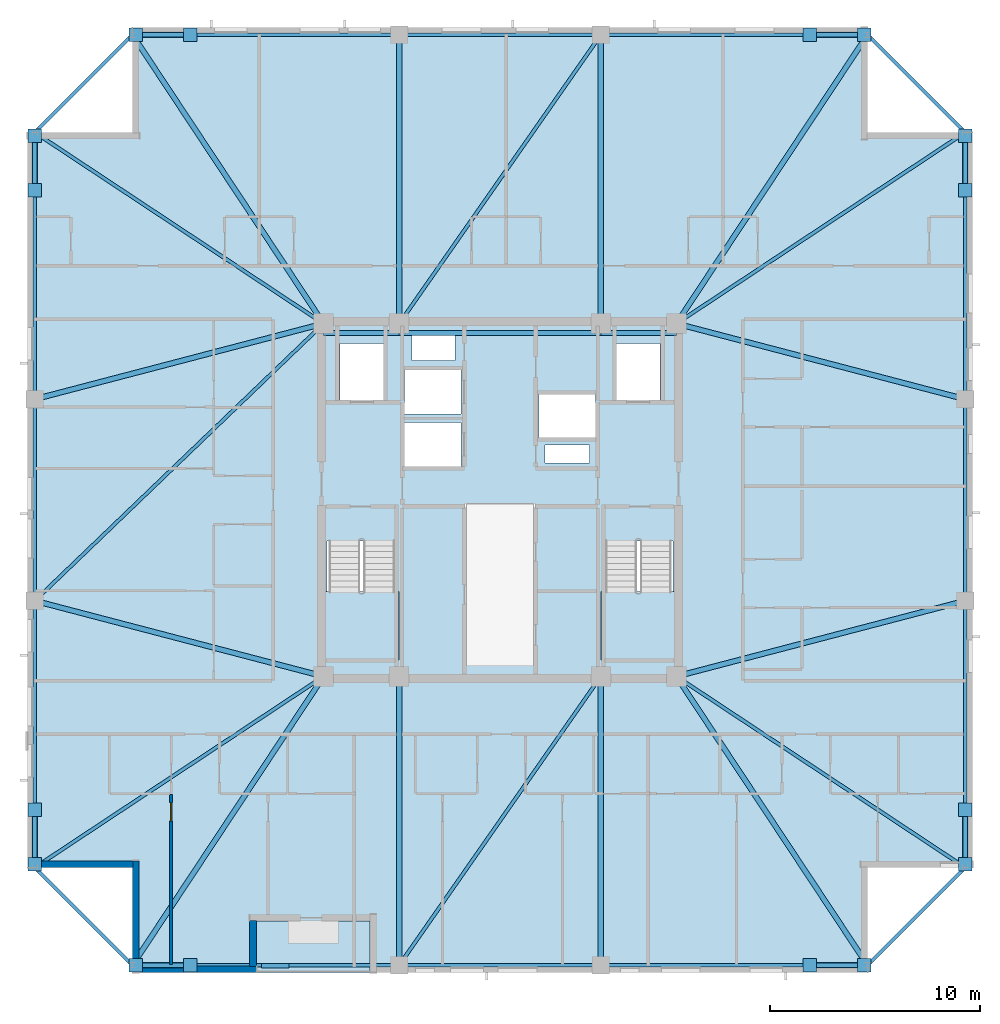
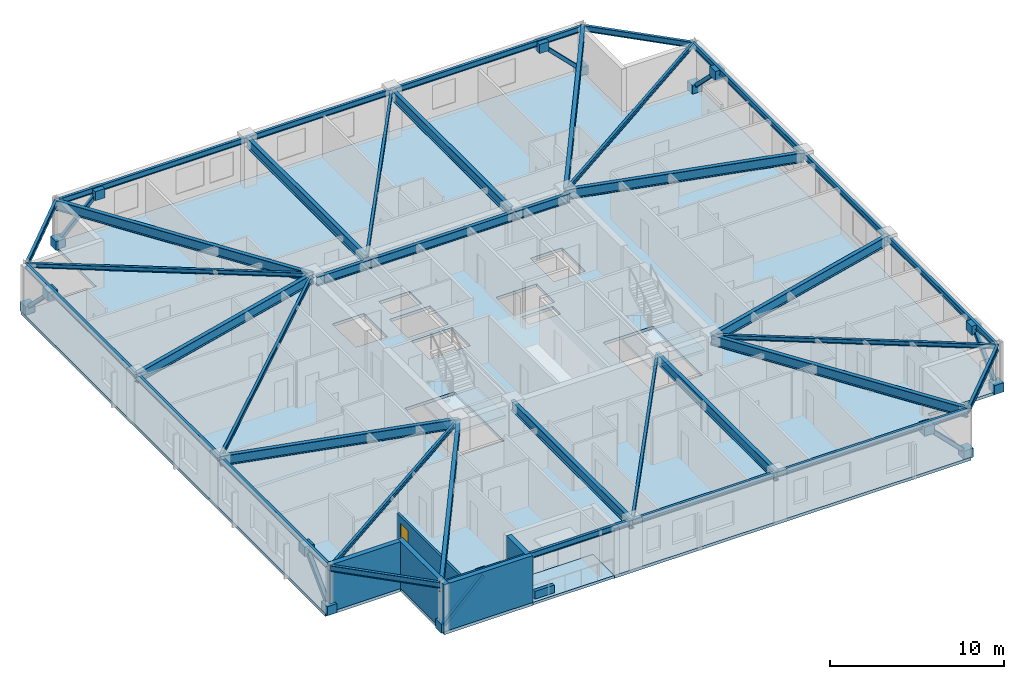
# One storey, part 6 of 17: 38 beams, 16 plates, 8 members, 6 walls, 4 slabs, 1 door, 1 opening, 2 elements without a shape of their own.
"""IFC4 building model written with IfcOpenShell, lengths in metres."""

from ifc_helpers import new_model, si_unit, direction, frame, frame_2d, origin, origin_2d, place, context, subcontext, project, spatial, polyline, rectangle, hollow_rectangle, i_section, outline, extrude, material, layer, layer_set, material_profile, profile_set, type_object, element, fill, aggregate, save


model = new_model("IFC4")

# Units and contexts
model_context = context("Model", 3, precision=1e-05, world=origin(), true_north=direction((0.0, 1.0)))
body_context = subcontext(model_context, "Body", "Model", "MODEL_VIEW")
ifc_project = project(units=[si_unit("LENGTHUNIT", "METRE"), si_unit("AREAUNIT", "SQUARE_METRE"), si_unit("VOLUMEUNIT", "CUBIC_METRE"), si_unit("PLANEANGLEUNIT", "RADIAN"), si_unit("MASSUNIT", "GRAM", prefix="KILO")], contexts=[model_context])

# Site, building, storey
site_placement = place(None, origin())
site = spatial("IfcSite", under=ifc_project, at=site_placement, CompositionType="ELEMENT")
building_placement = place(site_placement, origin())
building = spatial("IfcBuilding", under=site, at=building_placement, Name="Cairnveth Concourse Tower", CompositionType="ELEMENT")
storey_placement = place(building_placement, frame((0.0, 0.0, 262.0)))
storey = spatial("IfcBuildingStorey", under=building, at=storey_placement, Name="L72", CompositionType="ELEMENT", Elevation=262.0)

# Beams
ifc_material_1 = material(Name="Steel Grade 350", Category="steel")
ifc_material_profile_1 = material_profile(ifc_material_1, i_section(OverallWidth=0.22802734375, OverallDepth=0.60693359375, WebThickness=0.01123046875, FlangeThickness=0.017333984375, FilletRadius=0.013916015625, at=origin_2d()), Name="610UB113")
ifc_profile_set_1 = profile_set([ifc_material_profile_1], Name="Steel Grade 350")
beam_type_1 = type_object("IfcBeamType", Name="CORE TIE BEAM 610UB113", PredefinedType="T_BEAM", material=ifc_profile_set_1)
for number, where, z_axis, x_axis, name in (
    (1, (43.60009765625, 46.949951171875, 2.986572265625), (1.0, 0.0, 0.0), (0.0, 1.0, 0.0), "Beam CT-N1 L72"),
    (2, (56.800048828125, 46.949951171875, 2.986572265625), (1.0, 0.0, 0.0), (0.0, 1.0, 0.0), "Beam CT-N3 L72"),
):
    element("IfcBeam", number, at=place(storey_placement, frame(where, z_axis=z_axis, x_axis=x_axis)), inside=storey, type_object=beam_type_1, Name=name, PredefinedType="T_BEAM", context=body_context, shape_type="SweptSolid", body=[
        extrude(i_section(OverallWidth=0.22802734375, OverallDepth=0.60693359375, WebThickness=0.01123046875, FlangeThickness=0.017333984375, FilletRadius=0.013916015625, at=origin_2d()), origin(), (0.0, 0.0, 1.0), 3.599853515625),
    ])
beam_1_placement = place(storey_placement, frame((47.199951171875, 46.949951171875, 2.986572265625), z_axis=(1.0, 0.0, 0.0), x_axis=(0.0, 1.0, 0.0)))
element("IfcBeam", 3, at=beam_1_placement, inside=storey, type_object=beam_type_1, Name="Beam CT-N2 L72", PredefinedType="T_BEAM", context=body_context, shape_type="SweptSolid", body=[
    extrude(i_section(OverallWidth=0.22802734375, OverallDepth=0.60693359375, WebThickness=0.01123046875, FlangeThickness=0.017333984375, FilletRadius=0.013916015625, at=origin_2d()), origin(), (0.0, 0.0, 1.0), 9.60009765625),
])
ifc_material_profile_2 = material_profile(ifc_material_1, i_section(OverallWidth=0.166015625, OverallDepth=0.306884765625, WebThickness=0.006591796875, FlangeThickness=0.01171875, FilletRadius=0.010986328125, at=origin_2d()), Name="310UB46.2")
ifc_profile_set_2 = profile_set([ifc_material_profile_2], Name="Steel Grade 350")
beam_type_2 = type_object("IfcBeamType", Name="ZONE 3 FLOOR JOIST 310UB46.2", PredefinedType="JOIST", material=ifc_profile_set_2)
for number, where, z_axis, x_axis, name in (
    (4, (29.85009765625, 21.5, 3.136474609375), (0.833908956207, 0.551902031848, 0.0), (-0.551902031848, 0.833908956207, 0.0), "Beam FJ-CSW2 L72"),
    (5, (74.14990234375, 21.5, 3.136474609375), (-0.833908956207, 0.551902031848, 0.0), (-0.551902031848, -0.833908956207, 0.0), "Beam FJ-CSE2 L72"),
    (6, (74.14990234375, 56.5, 3.136474609375), (-0.833908956207, -0.551902031848, 0.0), (0.551902031848, -0.833908956207, 0.0), "Beam FJ-CNE2 L72"),
    (7, (29.85009765625, 56.5, 3.136474609375), (0.833908956207, -0.551902031848, 0.0), (0.551902031848, 0.833908956207, 0.0), "Beam FJ-CNW2 L72"),
):
    element("IfcBeam", number, at=place(storey_placement, frame(where, z_axis=z_axis, x_axis=x_axis)), inside=storey, type_object=beam_type_2, Name=name, PredefinedType="JOIST", context=body_context, shape_type="SweptSolid", body=[
        extrude(i_section(OverallWidth=0.166015625, OverallDepth=0.306884765625, WebThickness=0.006591796875, FlangeThickness=0.01171875, FilletRadius=0.010986328125, at=origin_2d()), origin(), (0.0, 0.0, 1.0), 16.488525390625),
    ])
for number, where, z_axis, x_axis, name in (
    (8, (47.199951171875, 16.85009765625, 3.136474609375), (0.572465304893, 0.819928944905, 0.0), (-0.819928944905, 0.572465304893, 0.0), "Beam FJ-S-M1 L72"),
    (9, (47.199951171875, 47.39990234375, 3.136474609375), (0.572465304893, 0.819928944905, 0.0), (-0.819928944905, 0.572465304893, 0.0), "Beam FJ-N-M1 L72"),
):
    element("IfcBeam", number, at=place(storey_placement, frame(where, z_axis=z_axis, x_axis=x_axis)), inside=storey, type_object=beam_type_2, Name=name, PredefinedType="JOIST", context=body_context, shape_type="SweptSolid", body=[
        extrude(i_section(OverallWidth=0.166015625, OverallDepth=0.306884765625, WebThickness=0.006591796875, FlangeThickness=0.01171875, FilletRadius=0.010986328125, at=origin_2d()), origin(), (0.0, 0.0, 1.0), 16.769775390625),
    ])
beam_2_placement = place(storey_placement, frame((29.85009765625, 34.199951171875, 3.136474609375), z_axis=(0.721388600838, 0.692530495055, 0.0), x_axis=(-0.692530495055, 0.721388600838, 0.0)))
element("IfcBeam", 10, at=beam_2_placement, inside=storey, type_object=beam_type_2, Name="Beam FJ-W-M1 L72", PredefinedType="JOIST", context=body_context, shape_type="SweptSolid", body=[
    extrude(i_section(OverallWidth=0.166015625, OverallDepth=0.306884765625, WebThickness=0.006591796875, FlangeThickness=0.01171875, FilletRadius=0.010986328125, at=origin_2d()), origin(), (0.0, 0.0, 1.0), 19.060546875),
])

# Members
ifc_material_2 = material(Name="Steel C350L0 (350 MPa)", Category="steel")
ifc_material_profile_3 = material_profile(ifc_material_2, hollow_rectangle(XDim=0.25, YDim=0.25, WallThickness=0.012451171875, InnerFilletRadius=0.012939453125, OuterFilletRadius=0.02490234375, at=origin_2d()), Name="250x250x12.5SHS")
ifc_profile_set_3 = profile_set([ifc_material_profile_3], Name="Steel C350L0 (350 MPa)")
member_type = type_object("IfcMemberType", Name="ZONE 3 PIER BRACE 250X250X12.5SHS", PredefinedType="BRACE", material=ifc_profile_set_3)
for number, where, z_axis, x_axis, name in (
    (11, (34.64990234375, 16.85009765625, 0.25), (0.708469186186, 0.0, 0.705741746126), (0.0, 1.0, 0.0), "Structural Brace PB-S1 L72"),
    (12, (69.35009765625, 16.85009765625, 0.25), (-0.708469186186, 0.0, 0.705741746126), (0.0, -1.0, 0.0), "Structural Brace PB-S2 L72"),
    (13, (34.64990234375, 61.14990234375, 0.25), (0.708469186186, 0.0, 0.705741746126), (0.0, 1.0, 0.0), "Structural Brace PB-N1 L72"),
    (14, (69.35009765625, 61.14990234375, 0.25), (-0.708469186186, 0.0, 0.705741746126), (0.0, -1.0, 0.0), "Structural Brace PB-N2 L72"),
    (15, (29.85009765625, 21.64990234375, 0.25), (0.0, 0.708469186186, 0.705741746126), (-1.0, 0.0, 0.0), "Structural Brace PB-W1 L72"),
    (16, (29.85009765625, 56.35009765625, 0.25), (0.0, -0.708469186186, 0.705741746126), (1.0, 0.0, 0.0), "Structural Brace PB-W2 L72"),
    (17, (74.14990234375, 21.64990234375, 0.25), (0.0, 0.708469186186, 0.705741746126), (-1.0, 0.0, 0.0), "Structural Brace PB-E1 L72"),
    (18, (74.14990234375, 56.35009765625, 0.25), (0.0, -0.708469186186, 0.705741746126), (1.0, 0.0, 0.0), "Structural Brace PB-E2 L72"),
):
    element("IfcMember", number, at=place(storey_placement, frame(where, z_axis=z_axis, x_axis=x_axis)), inside=storey, type_object=member_type, Name=name, PredefinedType="BRACE", context=body_context, shape_type="SweptSolid", body=[
        extrude(hollow_rectangle(XDim=0.25, YDim=0.25, WallThickness=0.012451171875, InnerFilletRadius=0.012939453125, OuterFilletRadius=0.02490234375, at=origin_2d()), origin(), (0.0, 0.0, 1.0), 3.669921875),
    ])

# Beams
ifc_material_profile_4 = material_profile(ifc_material_1, i_section(OverallWidth=0.25, OverallDepth=0.69189453125, WebThickness=0.010009765625, FlangeThickness=0.02490234375, at=origin_2d()), Name="700WB150")
ifc_profile_set_4 = profile_set([ifc_material_profile_4], Name="Steel Grade 350")
beam_type_3 = type_object("IfcBeamType", Name="ZONE 3 RADIAL GIRDER 700WB150", PredefinedType="BEAM", material=ifc_profile_set_4)
for number, where, z_axis, x_axis, name in (
    (19, (47.199951171875, 16.85009765625, 2.944091796875), (0.0, 1.0, 0.0), (-1.0, 0.0, 0.0), "Beam RG-S1 L72"),
    (20, (56.800048828125, 16.85009765625, 2.944091796875), (0.0, 1.0, 0.0), (-1.0, 0.0, 0.0), "Beam RG-S2 L72"),
    (21, (47.199951171875, 47.39990234375, 2.944091796875), (0.0, 1.0, 0.0), (-1.0, 0.0, 0.0), "Beam RG-N1 L72"),
    (22, (56.800048828125, 47.39990234375, 2.944091796875), (0.0, 1.0, 0.0), (-1.0, 0.0, 0.0), "Beam RG-N2 L72"),
):
    element("IfcBeam", number, at=place(storey_placement, frame(where, z_axis=z_axis, x_axis=x_axis)), inside=storey, type_object=beam_type_3, Name=name, PredefinedType="BEAM", context=body_context, shape_type="SweptSolid", body=[
        extrude(i_section(OverallWidth=0.25, OverallDepth=0.69189453125, WebThickness=0.010009765625, FlangeThickness=0.02490234375, at=origin_2d()), origin(), (0.0, 0.0, 1.0), 13.75),
    ])
for number, where, z_axis, x_axis, name in (
    (23, (29.85009765625, 34.199951171875, 2.944091796875), (0.967395273598, -0.253271365575, 0.0), (0.253271365575, 0.967395273598, 0.0), "Beam RG-W1 L72"),
    (24, (29.85009765625, 43.800048828125, 2.944091796875), (0.967395273598, 0.253271365575, 0.0), (-0.253271365575, 0.967395273598, 0.0), "Beam RG-W2 L72"),
    (25, (60.39990234375, 30.60009765625, 2.944091796875), (0.967395273598, 0.253271365575, 0.0), (-0.253271365575, 0.967395273598, 0.0), "Beam RG-E1 L72"),
    (26, (60.39990234375, 47.39990234375, 2.944091796875), (0.967395273598, -0.253271365575, 0.0), (0.253271365575, 0.967395273598, 0.0), "Beam RG-E2 L72"),
):
    element("IfcBeam", number, at=place(storey_placement, frame(where, z_axis=z_axis, x_axis=x_axis)), inside=storey, type_object=beam_type_3, Name=name, PredefinedType="BEAM", context=body_context, shape_type="SweptSolid", body=[
        extrude(i_section(OverallWidth=0.25, OverallDepth=0.69189453125, WebThickness=0.010009765625, FlangeThickness=0.02490234375, at=origin_2d()), origin(), (0.0, 0.0, 1.0), 14.21337890625),
    ])
for number, where, z_axis, x_axis, name in (
    (27, (34.5, 16.85009765625, 2.944091796875), (0.551902031848, 0.833908956207, 0.0), (-0.833908956207, 0.551902031848, 0.0), "Beam RG-CSW L72"),
    (28, (69.5, 16.85009765625, 2.944091796875), (-0.551902031848, 0.833908956207, 0.0), (-0.833908956207, -0.551902031848, 0.0), "Beam RG-CSE L72"),
    (29, (69.5, 61.14990234375, 2.944091796875), (-0.551902031848, -0.833908956207, 0.0), (0.833908956207, -0.551902031848, 0.0), "Beam RG-CNE L72"),
    (30, (34.5, 61.14990234375, 2.944091796875), (0.551902031848, -0.833908956207, 0.0), (0.833908956207, 0.551902031848, 0.0), "Beam RG-CNW L72"),
):
    element("IfcBeam", number, at=place(storey_placement, frame(where, z_axis=z_axis, x_axis=x_axis)), inside=storey, type_object=beam_type_3, Name=name, PredefinedType="BEAM", context=body_context, shape_type="SweptSolid", body=[
        extrude(i_section(OverallWidth=0.25, OverallDepth=0.69189453125, WebThickness=0.010009765625, FlangeThickness=0.02490234375, at=origin_2d()), origin(), (0.0, 0.0, 1.0), 16.488525390625),
    ])
ifc_material_profile_5 = material_profile(ifc_material_1, i_section(OverallWidth=0.177978515625, OverallDepth=0.406005859375, WebThickness=0.0078125, FlangeThickness=0.0126953125, FilletRadius=0.010986328125, at=origin_2d()), Name="410UB59.7")
ifc_profile_set_5 = profile_set([ifc_material_profile_5], Name="Steel Grade 350")
beam_type_4 = type_object("IfcBeamType", Name="ZONE 3 SPANDREL BEAM 410UB59.7", PredefinedType="SPANDREL", material=ifc_profile_set_5)
beam_3_placement = place(storey_placement, frame((34.5, 16.85009765625, 3.0869140625), z_axis=(1.0, 0.0, 0.0), x_axis=(0.0, 1.0, 0.0)))
element("IfcBeam", 31, at=beam_3_placement, inside=storey, type_object=beam_type_4, Name="Beam SP-S1 L72", PredefinedType="SPANDREL", context=body_context, shape_type="SweptSolid", body=[
    extrude(i_section(OverallWidth=0.177978515625, OverallDepth=0.406005859375, WebThickness=0.0078125, FlangeThickness=0.0126953125, FilletRadius=0.010986328125, at=origin_2d()), origin(), (0.0, 0.0, 1.0), 12.699951171875),
])
beam_4_placement = place(storey_placement, frame((47.199951171875, 16.85009765625, 3.0869140625), z_axis=(1.0, 0.0, 0.0), x_axis=(0.0, 1.0, 0.0)))
element("IfcBeam", 32, at=beam_4_placement, inside=storey, type_object=beam_type_4, Name="Beam SP-S2 L72", PredefinedType="SPANDREL", context=body_context, shape_type="SweptSolid", body=[
    extrude(i_section(OverallWidth=0.177978515625, OverallDepth=0.406005859375, WebThickness=0.0078125, FlangeThickness=0.0126953125, FilletRadius=0.010986328125, at=origin_2d()), origin(), (0.0, 0.0, 1.0), 9.60009765625),
])
for number, where, z_axis, x_axis, name in (
    (33, (56.800048828125, 16.85009765625, 3.0869140625), (1.0, 0.0, 0.0), (0.0, 1.0, 0.0), "Beam SP-S3 L72"),
    (34, (34.5, 61.14990234375, 3.0869140625), (1.0, 0.0, 0.0), (0.0, 1.0, 0.0), "Beam SP-N1 L72"),
):
    element("IfcBeam", number, at=place(storey_placement, frame(where, z_axis=z_axis, x_axis=x_axis)), inside=storey, type_object=beam_type_4, Name=name, PredefinedType="SPANDREL", context=body_context, shape_type="SweptSolid", body=[
        extrude(i_section(OverallWidth=0.177978515625, OverallDepth=0.406005859375, WebThickness=0.0078125, FlangeThickness=0.0126953125, FilletRadius=0.010986328125, at=origin_2d()), origin(), (0.0, 0.0, 1.0), 12.699951171875),
    ])
beam_5_placement = place(storey_placement, frame((47.199951171875, 61.14990234375, 3.0869140625), z_axis=(1.0, 0.0, 0.0), x_axis=(0.0, 1.0, 0.0)))
element("IfcBeam", 35, at=beam_5_placement, inside=storey, type_object=beam_type_4, Name="Beam SP-N2 L72", PredefinedType="SPANDREL", context=body_context, shape_type="SweptSolid", body=[
    extrude(i_section(OverallWidth=0.177978515625, OverallDepth=0.406005859375, WebThickness=0.0078125, FlangeThickness=0.0126953125, FilletRadius=0.010986328125, at=origin_2d()), origin(), (0.0, 0.0, 1.0), 9.60009765625),
])
for number, where, z_axis, x_axis, name in (
    (36, (56.800048828125, 61.14990234375, 3.0869140625), (1.0, 0.0, 0.0), (0.0, 1.0, 0.0), "Beam SP-N3 L72"),
    (37, (29.85009765625, 21.5, 3.0869140625), (0.0, 1.0, 0.0), (-1.0, 0.0, 0.0), "Beam SP-W1 L72"),
):
    element("IfcBeam", number, at=place(storey_placement, frame(where, z_axis=z_axis, x_axis=x_axis)), inside=storey, type_object=beam_type_4, Name=name, PredefinedType="SPANDREL", context=body_context, shape_type="SweptSolid", body=[
        extrude(i_section(OverallWidth=0.177978515625, OverallDepth=0.406005859375, WebThickness=0.0078125, FlangeThickness=0.0126953125, FilletRadius=0.010986328125, at=origin_2d()), origin(), (0.0, 0.0, 1.0), 12.699951171875),
    ])
beam_6_placement = place(storey_placement, frame((29.85009765625, 34.199951171875, 3.0869140625), z_axis=(0.0, 1.0, 0.0), x_axis=(-1.0, 0.0, 0.0)))
element("IfcBeam", 38, at=beam_6_placement, inside=storey, type_object=beam_type_4, Name="Beam SP-W2 L72", PredefinedType="SPANDREL", context=body_context, shape_type="SweptSolid", body=[
    extrude(i_section(OverallWidth=0.177978515625, OverallDepth=0.406005859375, WebThickness=0.0078125, FlangeThickness=0.0126953125, FilletRadius=0.010986328125, at=origin_2d()), origin(), (0.0, 0.0, 1.0), 9.60009765625),
])
for number, where, z_axis, x_axis, name in (
    (39, (29.85009765625, 43.800048828125, 3.0869140625), (0.0, 1.0, 0.0), (-1.0, 0.0, 0.0), "Beam SP-W3 L72"),
    (40, (74.14990234375, 21.5, 3.0869140625), (0.0, 1.0, 0.0), (-1.0, 0.0, 0.0), "Beam SP-E1 L72"),
):
    element("IfcBeam", number, at=place(storey_placement, frame(where, z_axis=z_axis, x_axis=x_axis)), inside=storey, type_object=beam_type_4, Name=name, PredefinedType="SPANDREL", context=body_context, shape_type="SweptSolid", body=[
        extrude(i_section(OverallWidth=0.177978515625, OverallDepth=0.406005859375, WebThickness=0.0078125, FlangeThickness=0.0126953125, FilletRadius=0.010986328125, at=origin_2d()), origin(), (0.0, 0.0, 1.0), 12.699951171875),
    ])
beam_7_placement = place(storey_placement, frame((74.14990234375, 34.199951171875, 3.0869140625), z_axis=(0.0, 1.0, 0.0), x_axis=(-1.0, 0.0, 0.0)))
element("IfcBeam", 41, at=beam_7_placement, inside=storey, type_object=beam_type_4, Name="Beam SP-E2 L72", PredefinedType="SPANDREL", context=body_context, shape_type="SweptSolid", body=[
    extrude(i_section(OverallWidth=0.177978515625, OverallDepth=0.406005859375, WebThickness=0.0078125, FlangeThickness=0.0126953125, FilletRadius=0.010986328125, at=origin_2d()), origin(), (0.0, 0.0, 1.0), 9.60009765625),
])
beam_8_placement = place(storey_placement, frame((74.14990234375, 43.800048828125, 3.0869140625), z_axis=(0.0, 1.0, 0.0), x_axis=(-1.0, 0.0, 0.0)))
element("IfcBeam", 42, at=beam_8_placement, inside=storey, type_object=beam_type_4, Name="Beam SP-E3 L72", PredefinedType="SPANDREL", context=body_context, shape_type="SweptSolid", body=[
    extrude(i_section(OverallWidth=0.177978515625, OverallDepth=0.406005859375, WebThickness=0.0078125, FlangeThickness=0.0126953125, FilletRadius=0.010986328125, at=origin_2d()), origin(), (0.0, 0.0, 1.0), 12.699951171875),
])
for number, where, z_axis, x_axis, name in (
    (43, (29.85009765625, 21.5, 3.0869140625), (0.707106781187, -0.707106781187, 0.0), (0.707106781187, 0.707106781187, 0.0), "Beam SP-SW L72"),
    (44, (69.5, 16.85009765625, 3.0869140625), (0.707106781187, 0.707106781187, 0.0), (-0.707106781187, 0.707106781187, 0.0), "Beam SP-SE L72"),
    (45, (69.5, 61.14990234375, 3.0869140625), (0.707106781187, -0.707106781187, 0.0), (0.707106781187, 0.707106781187, 0.0), "Beam SP-NE L72"),
    (46, (29.85009765625, 56.5, 3.0869140625), (0.707106781187, 0.707106781187, 0.0), (-0.707106781187, 0.707106781187, 0.0), "Beam SP-NW L72"),
):
    element("IfcBeam", number, at=place(storey_placement, frame(where, z_axis=z_axis, x_axis=x_axis)), inside=storey, type_object=beam_type_4, Name=name, PredefinedType="SPANDREL", context=body_context, shape_type="SweptSolid", body=[
        extrude(i_section(OverallWidth=0.177978515625, OverallDepth=0.406005859375, WebThickness=0.0078125, FlangeThickness=0.0126953125, FilletRadius=0.010986328125, at=origin_2d()), origin(), (0.0, 0.0, 1.0), 6.575927734375),
    ])

# Plates
ifc_layer_1 = layer(ifc_material_1, 0.031982421875)
ifc_layer_set_1 = layer_set([ifc_layer_1], Name="Steel Grade 350")
plate_type = type_object("IfcPlateType", Name="PERIMETER BRACE GUSSET PLATE 32", PredefinedType="USERDEFINED", material=ifc_layer_set_1)
for number, where, z_axis, x_axis, name in (
    (47, (34.64990234375, 16.85009765625, -0.06982421875), (0.0, 0.0, 1.0), (1.0, 0.0, 0.0), "Structural Node Plate 1237 L72"),
    (48, (37.25, 16.85009765625, 2.52001953125), (0.0, 0.0, 1.0), (1.0, 0.0, 0.0), "Structural Node Plate 1238 L72"),
    (49, (69.35009765625, 16.85009765625, -0.06982421875), (0.0, 0.0, 1.0), (1.0, 0.0, 0.0), "Structural Node Plate 1239 L72"),
    (50, (66.75, 16.85009765625, 2.52001953125), (0.0, 0.0, 1.0), (1.0, 0.0, 0.0), "Structural Node Plate 1240 L72"),
    (51, (34.64990234375, 61.14990234375, -0.06982421875), (0.0, 0.0, 1.0), (1.0, 0.0, 0.0), "Structural Node Plate 1241 L72"),
    (52, (37.25, 61.14990234375, 2.52001953125), (0.0, 0.0, 1.0), (1.0, 0.0, 0.0), "Structural Node Plate 1242 L72"),
    (53, (69.35009765625, 61.14990234375, -0.06982421875), (0.0, 0.0, 1.0), (1.0, 0.0, 0.0), "Structural Node Plate 1243 L72"),
    (54, (66.75, 61.14990234375, 2.52001953125), (0.0, 0.0, 1.0), (1.0, 0.0, 0.0), "Structural Node Plate 1244 L72"),
    (55, (29.85009765625, 21.64990234375, -0.06982421875), (0.0, 0.0, 1.0), (1.0, 0.0, 0.0), "Structural Node Plate 1245 L72"),
    (56, (29.85009765625, 24.25, 2.52001953125), (0.0, 0.0, 1.0), (1.0, 0.0, 0.0), "Structural Node Plate 1246 L72"),
    (57, (29.85009765625, 56.35009765625, -0.06982421875), (0.0, 0.0, 1.0), (1.0, 0.0, 0.0), "Structural Node Plate 1247 L72"),
    (58, (29.85009765625, 53.75, 2.52001953125), (0.0, 0.0, 1.0), (1.0, 0.0, 0.0), "Structural Node Plate 1248 L72"),
    (59, (74.14990234375, 21.64990234375, -0.06982421875), (0.0, 0.0, 1.0), (1.0, 0.0, 0.0), "Structural Node Plate 1249 L72"),
    (60, (74.14990234375, 24.25, 2.52001953125), (0.0, 0.0, 1.0), (1.0, 0.0, 0.0), "Structural Node Plate 1250 L72"),
    (61, (74.14990234375, 56.35009765625, -0.06982421875), (0.0, 0.0, 1.0), (1.0, 0.0, 0.0), "Structural Node Plate 1251 L72"),
    (62, (74.14990234375, 53.75, 2.52001953125), (0.0, 0.0, 1.0), (1.0, 0.0, 0.0), "Structural Node Plate 1252 L72"),
):
    element("IfcPlate", number, at=place(storey_placement, frame(where, z_axis=z_axis, x_axis=x_axis)), inside=storey, type_object=plate_type, Name=name, ObjectType="GUSSET PLATE", PredefinedType="USERDEFINED", context=body_context, shape_type="SweptSolid", body=[
        extrude(rectangle(XDim=0.639892578125, YDim=0.639892578125, at=origin_2d()), origin(), (0.0, 0.0, 1.0), 0.639892578125),
    ])

# Slab
ifc_material_3 = material(Name="Concrete N50 (50 MPa)", Category="concrete")
ifc_layer_2 = layer(ifc_material_3, 0.18994140625)
ifc_layer_set_2 = layer_set([ifc_layer_2], Name="Concrete N50 (50 MPa)")
slab_type_1 = type_object("IfcSlabType", Name="SPIRAL OUTDOOR TERRACE SLAB 190", PredefinedType="FLOOR", material=ifc_layer_set_2)
slab_1_placement = place(storey_placement, frame((0.0, 0.0, -0.18994140625)))
element("IfcSlab", 63, at=slab_1_placement, inside=storey, type_object=slab_type_1, Name="Spiral Terrace Slab L72", PredefinedType="FLOOR", context=body_context, shape_type="SweptSolid", body=[
    extrude(outline(polyline([(40.39990234375, 16.5), (45.800048828125, 16.5), (45.800048828125, 18.949951171875), (40.39990234375, 18.949951171875), (40.39990234375, 16.5)])), origin(), (0.0, 0.0, 1.0), 0.18994140625),
])

# Stair, slab
ifc_material_4 = material(Name="Precast concrete N50 (50 MPa)", Category="concrete")
stair_type = type_object("IfcStairType", Name="CORE DOG-LEG FIRE STAIR 1500", PredefinedType="HALF_TURN_STAIR", material=ifc_material_4)
stair_1_placement = place(storey_placement, origin())
stair_1 = element("IfcStair", 64, at=stair_1_placement, inside=storey, type_object=stair_type, Name="L72 Fire-Isolated Stair ST-1", PredefinedType="HALF_TURN_STAIR")
ifc_layer_3 = layer(ifc_material_3, 0.199951171875)
ifc_layer_set_3 = layer_set([ifc_layer_3], Name="Concrete N50 (50 MPa)")
slab_type_2 = type_object("IfcSlabType", Name="STAIR HALF LANDING SLAB 200", PredefinedType="LANDING", material=ifc_layer_set_3)
slab_2_placement = place(storey_placement, frame((0.0, 0.0, 1.550048828125)))
slab_2 = element("IfcSlab", 65, at=slab_2_placement, type_object=slab_type_2, Name="ST-1 landing 1", PredefinedType="LANDING", context=body_context, shape_type="SweptSolid", body=[
    extrude(outline(polyline([(43.6201171875, 34.639892578125), (43.6201171875, 31.3701171875), (47.199951171875, 31.3701171875), (47.199951171875, 34.639892578125), (43.6201171875, 34.639892578125)])), origin(), (0.0, 0.0, 1.0), 0.199951171875),
])
aggregate(stair_1, [slab_2])

stair_2_placement = place(storey_placement, origin())
stair_2 = element("IfcStair", 66, at=stair_2_placement, inside=storey, type_object=stair_type, Name="L72 Fire-Isolated Stair ST-2", PredefinedType="HALF_TURN_STAIR")
slab_3_placement = place(storey_placement, frame((0.0, 0.0, 1.550048828125)))
slab_3 = element("IfcSlab", 67, at=slab_3_placement, type_object=slab_type_2, Name="ST-2 landing 1", PredefinedType="LANDING", context=body_context, shape_type="SweptSolid", body=[
    extrude(outline(polyline([(56.800048828125, 34.639892578125), (56.800048828125, 31.3701171875), (60.3798828125, 31.3701171875), (60.3798828125, 34.639892578125), (56.800048828125, 34.639892578125)])), origin(), (0.0, 0.0, 1.0), 0.199951171875),
])
aggregate(stair_2, [slab_3])

# Slab
ifc_layer_4 = layer(ifc_material_3, 0.2099609375)
ifc_layer_set_4 = layer_set([ifc_layer_4], Name="Concrete N50 (50 MPa)")
slab_type_3 = type_object("IfcSlabType", Name="UPPER TOWER COMPOSITE SLAB 210", PredefinedType="FLOOR", material=ifc_layer_set_4)
slab_4_placement = place(storey_placement, frame((0.0, 0.0, -0.2099609375)))
element("IfcSlab", 68, at=slab_4_placement, inside=storey, type_object=slab_type_3, Name="Tower Floor Slab L72", PredefinedType="FLOOR", context=body_context, shape_type="SweptSolid", body=[
    extrude(outline(polyline([(40.39990234375, 16.5), (40.39990234375, 18.949951171875), (45.800048828125, 18.949951171875), (45.800048828125, 16.5), (69.5, 16.5), (69.5, 21.5), (74.5, 21.5), (74.5, 56.5), (69.5, 56.5), (69.5, 61.5), (34.5, 61.5), (34.5, 56.5), (29.5, 56.5), (29.5, 21.5), (34.5, 21.5), (34.5, 16.5), (40.39990234375, 16.5)]), holes=[polyline([(43.760009765625, 31.360107421875), (47.06005859375, 31.360107421875), (47.06005859375, 37.0400390625), (43.760009765625, 37.0400390625), (43.760009765625, 31.360107421875)]), polyline([(56.93994140625, 31.360107421875), (60.239990234375, 31.360107421875), (60.239990234375, 37.0400390625), (56.93994140625, 37.0400390625), (56.93994140625, 31.360107421875)]), polyline([(44.3701171875, 43.75), (46.469970703125, 43.75), (46.469970703125, 46.449951171875), (44.3701171875, 46.449951171875), (44.3701171875, 43.75)]), polyline([(57.530029296875, 43.75), (59.6298828125, 43.75), (59.6298828125, 46.449951171875), (57.530029296875, 46.449951171875), (57.530029296875, 43.75)]), polyline([(47.449951171875, 40.60009765625), (50.14990234375, 40.60009765625), (50.14990234375, 42.699951171875), (47.449951171875, 42.699951171875), (47.449951171875, 40.60009765625)]), polyline([(47.449951171875, 43.10009765625), (50.14990234375, 43.10009765625), (50.14990234375, 45.199951171875), (47.449951171875, 45.199951171875), (47.449951171875, 43.10009765625)]), polyline([(53.85009765625, 41.949951171875), (56.550048828125, 41.949951171875), (56.550048828125, 44.050048828125), (53.85009765625, 44.050048828125), (53.85009765625, 41.949951171875)]), polyline([(47.800048828125, 45.64990234375), (49.85009765625, 45.64990234375), (49.85009765625, 47.050048828125), (47.800048828125, 47.050048828125), (47.800048828125, 45.64990234375)]), polyline([(54.14990234375, 40.75), (56.25, 40.75), (56.25, 41.6201171875), (54.14990234375, 41.6201171875), (54.14990234375, 40.75)])]), origin(), (0.0, 0.0, 1.0), 0.2099609375),
])

# Wall, opening, door
ifc_material_5 = material(Name="Gypsum Plasterboard Partition", Category="gypsum")
ifc_layer_5 = layer(ifc_material_5, 0.139892578125)
ifc_layer_set_5 = layer_set([ifc_layer_5], Name="Gypsum Plasterboard Partition")
wall_type_1 = type_object("IfcWallType", Name="GYPSUM STUD PARTITION 140", PredefinedType="PARTITIONING", material=ifc_layer_set_5)
wall_1_placement = place(storey_placement, frame((36.34130859375, 16.8798828125, 0.0), z_axis=(0.0, 0.0, 1.0), x_axis=(0.0, 1.0, 0.0)))
wall_1 = element("IfcWall", 69, at=wall_1_placement, inside=storey, type_object=wall_type_1, Name="Interior Wall IW-L72-048", PredefinedType="PARTITIONING", context=body_context, shape_type="SweptSolid", body=[
    extrude(rectangle(XDim=8.087646484375, YDim=0.139892578125, at=frame_2d((4.0439453125, 0.0))), origin(), (0.0, 0.0, 1.0), 2.572998046875),
])
opening_placement = place(wall_1_placement, frame((6.827392578125, 0.0, 0.0)))
opening = element("IfcOpeningElement", 70, at=opening_placement, cuts=wall_1, Name="Opening ID18", PredefinedType="OPENING", context=body_context, shape_type="SweptSolid", body=[
    extrude(rectangle(XDim=0.8798828125, YDim=2.10009765625, at=frame_2d((0.43994140625, 1.050048828125))), frame((0.0, 0.079833984375, 0.0), z_axis=(0.0, -1.0, 0.0), x_axis=(1.0, 0.0, 0.0)), (0.0, 0.0, 1.0), 0.159912109375),
])
ifc_material_6 = material(Name="Solid Core Hardwood Timber Leaf", Category="wood")
door_type = type_object("IfcDoorType", Name="INTERIOR SINGLE DOOR 880X2100", OperationType="NOTDEFINED", PredefinedType="DOOR", material=ifc_material_6)
door_placement = place(opening_placement, origin())
door = element("IfcDoor", 71, at=door_placement, inside=storey, type_object=door_type, Name="L72S1 Master Bedroom Door", OperationType="SINGLE_SWING_LEFT", OverallHeight=2.10009765625, OverallWidth=0.8798828125, PredefinedType="DOOR", context=body_context, shape_type="SweptSolid", body=[
    extrude(rectangle(XDim=0.8798828125, YDim=2.10009765625, at=frame_2d((0.43994140625, 1.050048828125))), frame((0.0, 0.02490234375, 0.0), z_axis=(0.0, -1.0, 0.0), x_axis=(1.0, 0.0, 0.0)), (0.0, 0.0, 1.0), 0.050048828125),
])
fill(opening, door)

# Walls
ifc_material_7 = material(Name="Dressed Melbourne Bluestone Cladding", Category="masonry")
ifc_layer_6 = layer(ifc_material_7, 0.219970703125)
ifc_layer_set_6 = layer_set([ifc_layer_6], Name="Dressed Melbourne Bluestone Cladding")
wall_type_2 = type_object("IfcWallType", Name="TERRACE PLANTER CURB WALL 220", PredefinedType="PARAPET", material=ifc_layer_set_6)
wall_2_placement = place(storey_placement, frame((40.64990234375, 16.820068359375, 0.0), z_axis=(0.0, 0.0, 1.0), x_axis=(1.0, 0.0, 0.0)))
element("IfcWall", 72, at=wall_2_placement, inside=storey, type_object=wall_type_2, Name="Exterior Wall PLNT-L72-TERR", PredefinedType="PARAPET", context=body_context, shape_type="SweptSolid", body=[
    extrude(rectangle(XDim=1.300048828125, YDim=0.219970703125, at=frame_2d((0.64990234375, 0.0))), origin(), (0.0, 0.0, 1.0), 0.550048828125),
])
ifc_material_8 = material(Name="Melbourne Buff Fired Clay Brick Masonry", Category="masonry")
ifc_layer_7 = layer(ifc_material_8, 0.320068359375)
ifc_layer_set_7 = layer_set([ifc_layer_7], Name="Melbourne Buff Fired Clay Brick Masonry")
wall_type_3 = type_object("IfcWallType", Name="ZONE 3 BRICK PIER SPANDREL WALL 320", PredefinedType="SOLIDWALL", material=ifc_layer_set_7)
wall_3_placement = place(storey_placement, frame((40.39990234375, 16.659912109375, 0.0), z_axis=(0.0, 0.0, 1.0), x_axis=(-1.0, 0.0, 0.0)))
element("IfcWall", 73, at=wall_3_placement, inside=storey, type_object=wall_type_3, Name="Exterior Wall EW-L72-S00", PredefinedType="SOLIDWALL", context=body_context, shape_type="SweptSolid", body=[
    extrude(rectangle(XDim=5.601806640625, YDim=0.320068359375, at=frame_2d((2.80078125, 0.0))), origin(), (0.0, 0.0, 1.0), 3.2900390625),
])
wall_4_placement = place(storey_placement, frame((34.659912109375, 16.5, 0.0), z_axis=(0.0, 0.0, 1.0), x_axis=(0.0, 1.0, 0.0)))
element("IfcWall", 74, at=wall_4_placement, inside=storey, type_object=wall_type_3, Name="Exterior Wall EW-L72-S01", PredefinedType="SOLIDWALL", context=body_context, shape_type="SweptSolid", body=[
    extrude(rectangle(XDim=5.320068359375, YDim=0.320068359375, at=frame_2d((2.66015625, 0.0))), origin(), (0.0, 0.0, 1.0), 3.2900390625),
])
wall_5_placement = place(storey_placement, frame((34.52197265625, 21.659912109375, 0.0), z_axis=(0.0, 0.0, 1.0), x_axis=(-1.0, 0.0, 0.0)))
element("IfcWall", 75, at=wall_5_placement, inside=storey, type_object=wall_type_3, Name="Exterior Wall EW-L72-S02", PredefinedType="SOLIDWALL", context=body_context, shape_type="SweptSolid", body=[
    extrude(rectangle(XDim=4.723876953125, YDim=0.320068359375, at=frame_2d((2.36181640625, 0.0))), origin(), (0.0, 0.0, 1.0), 3.2900390625),
])
wall_6_placement = place(storey_placement, frame((40.239990234375, 18.971923828125, 0.0), z_axis=(0.0, 0.0, 1.0), x_axis=(0.0, -1.0, 0.0)))
element("IfcWall", 76, at=wall_6_placement, inside=storey, type_object=wall_type_3, Name="Exterior Wall EW-L72-S15", PredefinedType="SOLIDWALL", context=body_context, shape_type="SweptSolid", body=[
    extrude(rectangle(XDim=2.173828125, YDim=0.320068359375, at=frame_2d((1.0869140625, 0.0))), origin(), (0.0, 0.0, 1.0), 3.2900390625),
])

save(model, "model.ifc")
